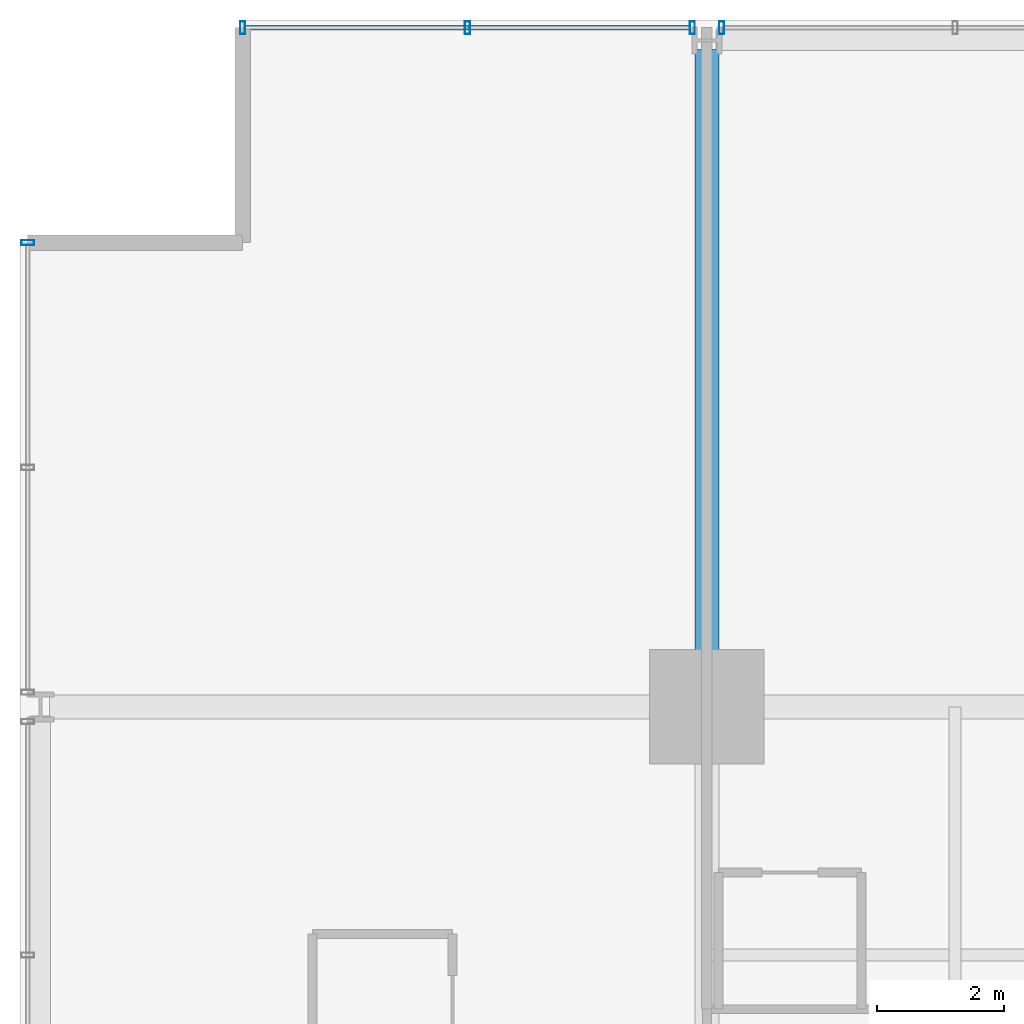
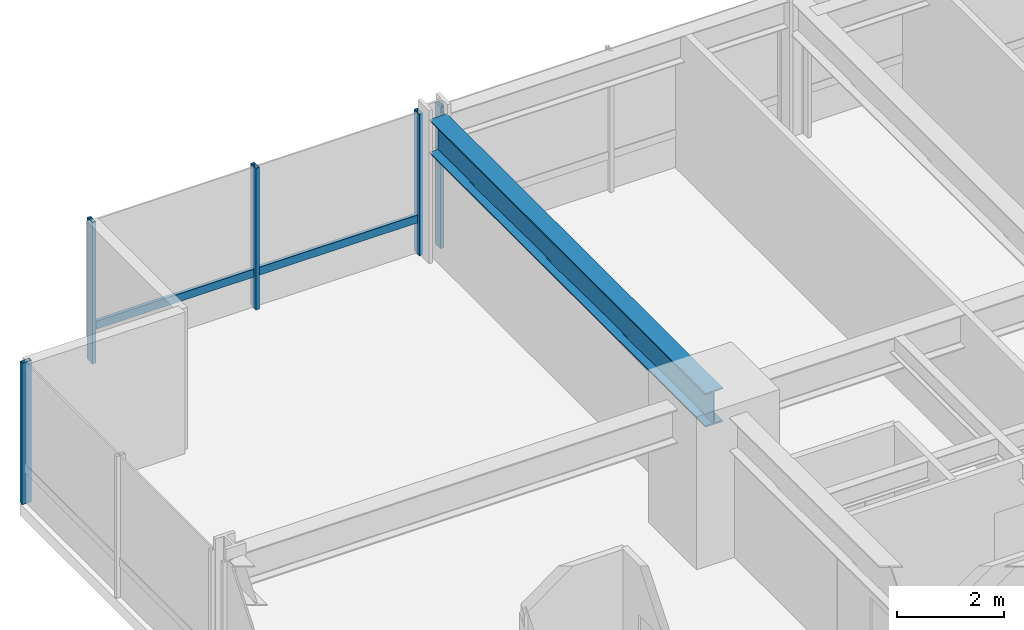
# One storey, part 21 of 38: 6 members, 1 beam, 3 elements without a shape of their own.
"""IFC4 building model written with IfcOpenShell, lengths in metres."""

from ifc_helpers import new_model, si_unit, direction, frame, origin, origin_2d, place, context, subcontext, project, spatial, hollow_rectangle, i_section, extrude, material, layer, layer_set, material_profile, profile_set, type_object, element, aggregate, save


model = new_model("IFC4")

# Units and contexts
model_context = context("Model", 3, precision=1e-05, world=origin(), true_north=direction((0.0, 1.0)))
body_context = subcontext(model_context, "Body", "Model", "MODEL_VIEW")
ifc_project = project(units=[si_unit("LENGTHUNIT", "METRE"), si_unit("AREAUNIT", "SQUARE_METRE"), si_unit("VOLUMEUNIT", "CUBIC_METRE"), si_unit("PLANEANGLEUNIT", "RADIAN"), si_unit("MASSUNIT", "GRAM", prefix="KILO")], contexts=[model_context])

# Site, building, storey
site_placement = place(None, origin())
site = spatial("IfcSite", under=ifc_project, at=site_placement, CompositionType="ELEMENT")
building_placement = place(site_placement, origin())
building = spatial("IfcBuilding", under=site, at=building_placement, Name="Drelvath Grand Hotel", CompositionType="ELEMENT")
storey_placement = place(building_placement, frame((0.0, 0.0, 71.699951171875)))
storey = spatial("IfcBuildingStorey", under=building, at=storey_placement, Name="L17", CompositionType="ELEMENT", Elevation=71.699951171875)

# Curtain wall, member
ifc_material_1 = material(Name="Warm Bronze Anodised Aluminium Frame", Category="aluminium")
ifc_layer = layer(ifc_material_1, 0.199951171875)
ifc_layer_set = layer_set([ifc_layer], Name="Warm Bronze Anodised Aluminium Frame")
curtain_wall_type = type_object("IfcCurtainWallType", Name="Stick Curtain Wall CW-02 Warm Bronze Low-Rise", PredefinedType="NOTDEFINED", material=ifc_layer_set)
curtain_wall_1_placement = place(storey_placement, origin())
curtain_wall_1 = element("IfcCurtainWall", 1, at=curtain_wall_1_placement, inside=storey, type_object=curtain_wall_type, Name="L17 CW-02 Curtain Wall CW02-L17-NW1", PredefinedType="NOTDEFINED")
ifc_material_profile_1 = material_profile(ifc_material_1, hollow_rectangle(XDim=0.074951171875, YDim=0.179931640625, WallThickness=0.0048828125, at=origin_2d()), Name="HSS180X75X5")
ifc_profile_set_1 = profile_set([ifc_material_profile_1], Name="Warm Bronze Anodised Aluminium Frame")
member_type_1 = type_object("IfcMemberType", Name="Curtain Wall Horizontal Transom CW-02 HSS180X75X5", PredefinedType="USERDEFINED", material=ifc_profile_set_1)
member_1_placement = place(storey_placement, frame((-23.4599609375, 53.8798828125, 0.81005859375), z_axis=(1.0, 0.0, 0.0), x_axis=(0.0, 1.0, 0.0)))
member_1 = element("IfcMember", 2, at=member_1_placement, type_object=member_type_1, Name="CW02-L17-NW1 Sill Transom", ObjectType="TRANSOM", PredefinedType="USERDEFINED", context=body_context, shape_type="SweptSolid", body=[
    extrude(hollow_rectangle(XDim=0.074951171875, YDim=0.179931640625, WallThickness=0.0048828125, at=origin_2d()), origin(), (0.0, 0.0, 1.0), 6.990966796875),
])

curtain_wall_2_placement = place(storey_placement, origin())
curtain_wall_2 = element("IfcCurtainWall", 3, at=curtain_wall_2_placement, inside=storey, type_object=curtain_wall_type, Name="L17 CW-02 Curtain Wall CW02-L17-WN3", PredefinedType="NOTDEFINED")
ifc_material_profile_2 = material_profile(ifc_material_1, hollow_rectangle(XDim=0.080078125, YDim=0.199951171875, WallThickness=0.0048828125, at=origin_2d()), Name="HSS200X80X5")
ifc_profile_set_2 = profile_set([ifc_material_profile_2], Name="Warm Bronze Anodised Aluminium Frame")
member_type_2 = type_object("IfcMemberType", Name="Curtain Wall Vertical Mullion CW-02 HSS200X80X5", PredefinedType="MULLION", material=ifc_profile_set_2)
member_2_placement = place(storey_placement, frame((-26.8798828125, 50.5, 0.0), z_axis=(0.0, 0.0, 1.0), x_axis=(0.0, 1.0, 0.0)))
member_2 = element("IfcMember", 4, at=member_2_placement, type_object=member_type_2, Name="CW02-L17-WN3 Mullion 3", PredefinedType="MULLION", context=body_context, shape_type="SweptSolid", body=[
    extrude(hollow_rectangle(XDim=0.080078125, YDim=0.199951171875, WallThickness=0.0048828125, at=origin_2d()), origin(), (0.0, 0.0, 1.0), 3.239990234375),
])
aggregate(curtain_wall_2, [member_2])

# Member
member_3_placement = place(storey_placement, frame((-23.5, 53.8798828125, 0.0), z_axis=(0.0, 0.0, 1.0), x_axis=(1.0, 0.0, 0.0)))
member_3 = element("IfcMember", 5, at=member_3_placement, type_object=member_type_2, Name="CW02-L17-NW1 Mullion 1", PredefinedType="MULLION", context=body_context, shape_type="SweptSolid", body=[
    extrude(hollow_rectangle(XDim=0.080078125, YDim=0.199951171875, WallThickness=0.0048828125, at=origin_2d()), origin(), (0.0, 0.0, 1.0), 3.239990234375),
])

member_4_placement = place(storey_placement, frame((-19.964599609375, 53.8798828125, 0.0), z_axis=(0.0, 0.0, 1.0), x_axis=(1.0, 0.0, 0.0)))
member_4 = element("IfcMember", 6, at=member_4_placement, type_object=member_type_2, Name="CW02-L17-NW1 Mullion 2", PredefinedType="MULLION", context=body_context, shape_type="SweptSolid", body=[
    extrude(hollow_rectangle(XDim=0.080078125, YDim=0.199951171875, WallThickness=0.0048828125, at=origin_2d()), origin(), (0.0, 0.0, 1.0), 3.239990234375),
])

member_5_placement = place(storey_placement, frame((-16.42919921875, 53.8798828125, 0.0), z_axis=(0.0, 0.0, 1.0), x_axis=(1.0, 0.0, 0.0)))
member_5 = element("IfcMember", 7, at=member_5_placement, type_object=member_type_2, Name="CW02-L17-NW1 Mullion 3", PredefinedType="MULLION", context=body_context, shape_type="SweptSolid", body=[
    extrude(hollow_rectangle(XDim=0.080078125, YDim=0.199951171875, WallThickness=0.0048828125, at=origin_2d()), origin(), (0.0, 0.0, 1.0), 3.239990234375),
])

aggregate(curtain_wall_1, [member_3, member_4, member_5, member_1])

# Curtain wall, member
curtain_wall_3_placement = place(storey_placement, origin())
curtain_wall_3 = element("IfcCurtainWall", 8, at=curtain_wall_3_placement, inside=storey, type_object=curtain_wall_type, Name="L17 CW-02 Curtain Wall CW02-L17-NW2", PredefinedType="NOTDEFINED")
member_6_placement = place(storey_placement, frame((-15.970947265625, 53.8798828125, 0.0), z_axis=(0.0, 0.0, 1.0), x_axis=(1.0, 0.0, 0.0)))
member_6 = element("IfcMember", 9, at=member_6_placement, type_object=member_type_2, Name="CW02-L17-NW2 Mullion 1", PredefinedType="MULLION", context=body_context, shape_type="SweptSolid", body=[
    extrude(hollow_rectangle(XDim=0.080078125, YDim=0.199951171875, WallThickness=0.0048828125, at=origin_2d()), origin(), (0.0, 0.0, 1.0), 3.239990234375),
])
aggregate(curtain_wall_3, [member_6])

# Beam
ifc_material_2 = material(Name="Steel ASTM A992 Gr 50", Category="steel")
ifc_material_profile_3 = material_profile(ifc_material_2, i_section(OverallWidth=0.380615234375, OverallDepth=0.773193359375, WebThickness=0.0166015625, FlangeThickness=0.027099609375, FilletRadius=0.02490234375, at=origin_2d()), Name="W30X173")
ifc_profile_set_3 = profile_set([ifc_material_profile_3], Name="Steel ASTM A992 Gr 50")
beam_type = type_object("IfcBeamType", Name="Primary Floor Girder W30X173", PredefinedType="BEAM", material=ifc_profile_set_3)
beam_placement = place(storey_placement, frame((-16.199951171875, 43.199951171875, 2.853515625), z_axis=(0.0, 1.0, 0.0), x_axis=(-1.0, 0.0, 0.0)))
element("IfcBeam", 10, at=beam_placement, inside=storey, type_object=beam_type, Name="L17 North Grid Girder 3", PredefinedType="BEAM", context=body_context, shape_type="SweptSolid", body=[
    extrude(i_section(OverallWidth=0.380615234375, OverallDepth=0.773193359375, WebThickness=0.0166015625, FlangeThickness=0.027099609375, FilletRadius=0.02490234375, at=origin_2d()), origin(), (0.0, 0.0, 1.0), 10.340087890625),
])

save(model, "model.ifc")
